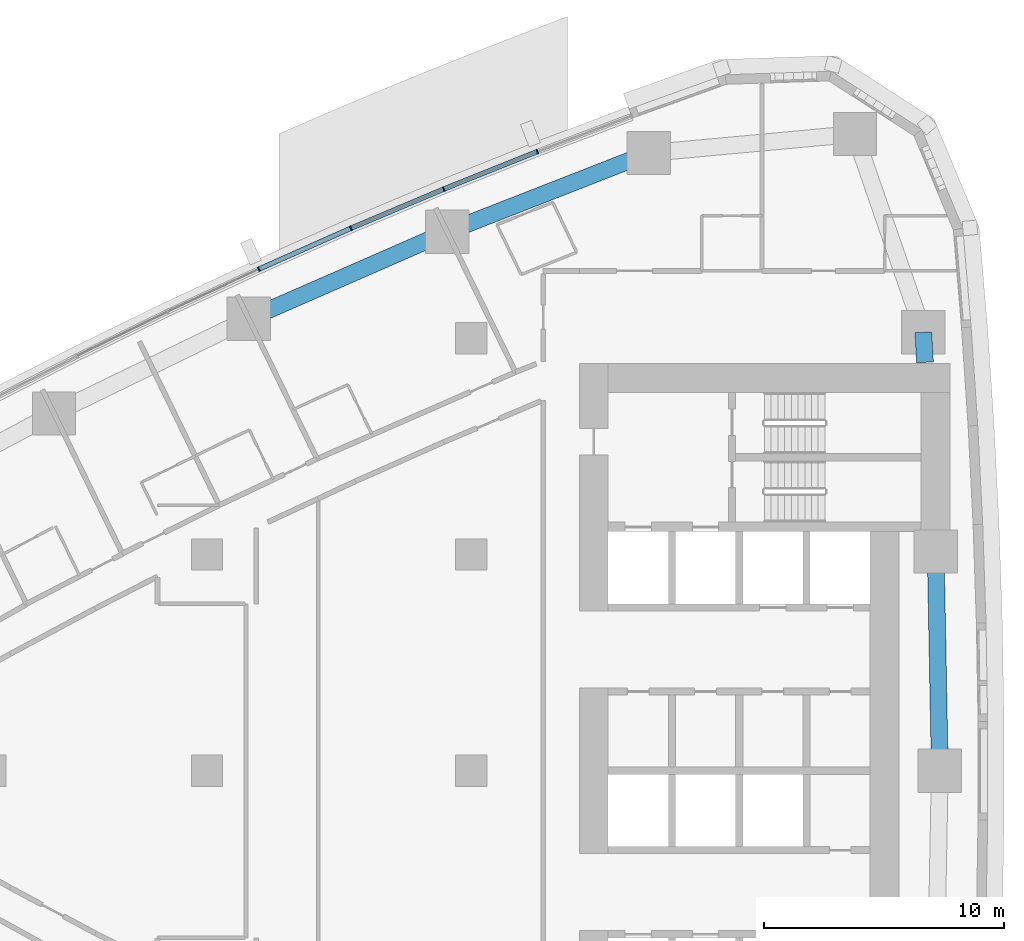
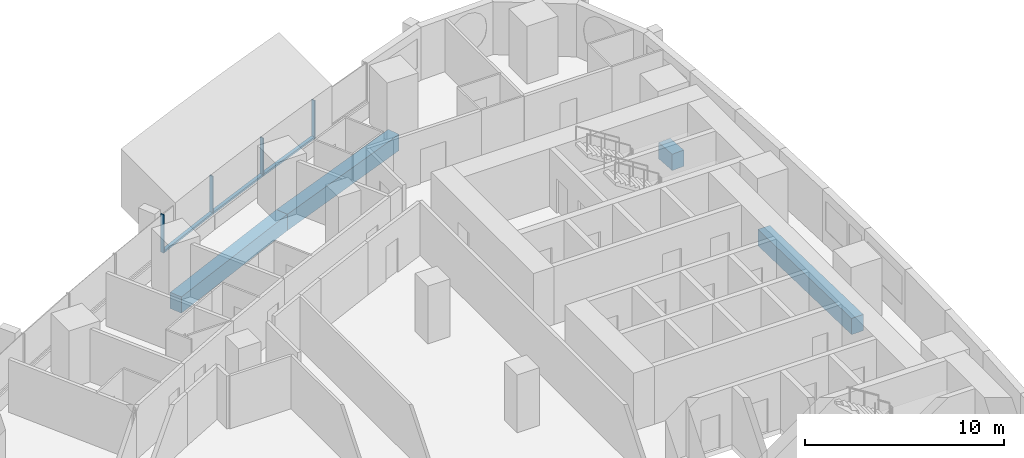
# One storey, part 6 of 19: 7 members, 4 beams, 2 elements without a shape of their own.
"""IFC4 building model written with IfcOpenShell, lengths in metres."""

from ifc_helpers import new_model, si_unit, direction, frame, origin, origin_2d, place, context, subcontext, project, spatial, rectangle, extrude, material, layer, layer_set, material_profile, profile_set, type_object, element, aggregate, save


model = new_model("IFC4")

# Units and contexts
model_context = context("Model", 3, precision=1e-05, world=origin(), true_north=direction((0.0, 1.0)))
body_context = subcontext(model_context, "Body", "Model", "MODEL_VIEW")
ifc_project = project(units=[si_unit("LENGTHUNIT", "METRE"), si_unit("AREAUNIT", "SQUARE_METRE"), si_unit("VOLUMEUNIT", "CUBIC_METRE"), si_unit("PLANEANGLEUNIT", "RADIAN"), si_unit("MASSUNIT", "GRAM", prefix="KILO")], contexts=[model_context])

# Site, building, storey
site_placement = place(None, origin())
site = spatial("IfcSite", under=ifc_project, at=site_placement, CompositionType="ELEMENT")
building_placement = place(site_placement, origin())
building = spatial("IfcBuilding", under=site, at=building_placement, Name="Ostrand Prow Hotel Tower", CompositionType="ELEMENT")
storey_placement = place(building_placement, frame((0.0, 0.0, 43.14990234375)))
storey = spatial("IfcBuildingStorey", under=building, at=storey_placement, Name="L08", CompositionType="ELEMENT", Elevation=43.14990234375)

# Beams
ifc_material_1 = material(Name="Concrete C80/95", Category="concrete")
ifc_material_profile_1 = material_profile(ifc_material_1, rectangle(XDim=0.699951171875, YDim=1.0, at=origin_2d()), Name="RC 700x1000")
ifc_profile_set_1 = profile_set([ifc_material_profile_1], Name="Concrete C80/95")
beam_type = type_object("IfcBeamType", Name="Edge beam 700x1000 C80/95", PredefinedType="SPANDREL", material=ifc_profile_set_1)
beam_1_placement = place(storey_placement, frame((64.5, 0.0, -0.7998046875), z_axis=(-0.018793471688, 0.999823387115, 0.0), x_axis=(-0.999823387115, -0.018793471688, 0.0)))
element("IfcBeam", 1, at=beam_1_placement, inside=storey, type_object=beam_type, Name="Edge beam B3-B4", PredefinedType="SPANDREL", context=body_context, shape_type="SweptSolid", body=[
    extrude(rectangle(XDim=0.699951171875, YDim=1.0, at=origin_2d()), origin(), (0.0, 0.0, 1.0), 9.132568359375),
])
beam_2_placement = place(storey_placement, frame((63.8837890625, 17.0, -0.7998046875), z_axis=(-0.056215946509, 0.998418633319, 0.0), x_axis=(-0.998418633319, -0.056215946509, 0.0)))
element("IfcBeam", 2, at=beam_2_placement, inside=storey, type_object=beam_type, Name="Edge beam B4-B5", PredefinedType="SPANDREL", context=body_context, shape_type="SweptSolid", body=[
    extrude(rectangle(XDim=0.699951171875, YDim=1.0, at=origin_2d()), origin(), (0.0, 0.0, 1.0), 1.250732421875),
])
for number, where, z_axis, x_axis, name in (
    (3, (52.3916015625, 25.710205078125, -0.7998046875), (-0.931329480916, -0.364177701098, 0.0), (0.364177701098, -0.931329480916, 0.0), "Edge beam N1-N2"),
    (4, (43.997802734375, 22.427978515625, -0.7998046875), (-0.916095776162, -0.400959510297, 0.0), (0.400959510297, -0.916095776162, 0.0), "Edge beam N2-N3"),
):
    element("IfcBeam", number, at=place(storey_placement, frame(where, z_axis=z_axis, x_axis=x_axis)), inside=storey, type_object=beam_type, Name=name, PredefinedType="SPANDREL", context=body_context, shape_type="SweptSolid", body=[
        extrude(rectangle(XDim=0.699951171875, YDim=1.0, at=origin_2d()), origin(), (0.0, 0.0, 1.0), 9.0126953125),
    ])

# Curtain wall, members
ifc_material_2 = material(Name="Insulated glass in bronze anodised frame", Category="glass")
ifc_layer = layer(ifc_material_2, 0.199951171875)
ifc_layer_set = layer_set([ifc_layer], Name="Insulated glass in bronze anodised frame")
curtain_wall_type = type_object("IfcCurtainWallType", Name="Strip curtain wall, fritted glass over bronze spandrel", PredefinedType="NOTDEFINED", material=ifc_layer_set)
curtain_wall_1_placement = place(storey_placement, origin())
curtain_wall_1 = element("IfcCurtainWall", 5, at=curtain_wall_1_placement, inside=storey, type_object=curtain_wall_type, Name="CW1 run CWN1", PredefinedType="NOTDEFINED")
ifc_material_3 = material(Name="Bronze anodised aluminium", Category="aluminium")
ifc_material_profile_2 = material_profile(ifc_material_3, rectangle(XDim=0.199951171875, YDim=0.06005859375, at=origin_2d()), Name="Mullion 60x200 bronze anodised aluminium")
ifc_profile_set_2 = profile_set([ifc_material_profile_2], Name="Bronze anodised aluminium")
member_type_1 = type_object("IfcMemberType", Name="Mullion 60x200 bronze anodised aluminium", PredefinedType="MULLION", material=ifc_profile_set_2)
member_1_placement = place(storey_placement, frame((47.7529296875, 25.769775390625, 0.900146484375), z_axis=(0.0, 0.0, 1.0), x_axis=(0.371873380669, -0.928283463577, 0.0)))
member_1 = element("IfcMember", 6, at=member_1_placement, type_object=member_type_1, Name="CW1 mullion 2", PredefinedType="MULLION", context=body_context, shape_type="SweptSolid", body=[
    extrude(rectangle(XDim=0.199951171875, YDim=0.06005859375, at=origin_2d()), origin(), (0.0, 0.0, 1.0), 2.349853515625),
])
member_2_placement = place(storey_placement, frame((43.859619140625, 24.210205078125, 0.900146484375), z_axis=(0.0, 0.0, 1.0), x_axis=(0.371873380669, -0.928283463577, 0.0)))
member_2 = element("IfcMember", 7, at=member_2_placement, type_object=member_type_1, Name="CW1 mullion 3", PredefinedType="MULLION", context=body_context, shape_type="SweptSolid", body=[
    extrude(rectangle(XDim=0.199951171875, YDim=0.06005859375, at=origin_2d()), origin(), (0.0, 0.0, 1.0), 2.349853515625),
])

curtain_wall_2_placement = place(storey_placement, origin())
curtain_wall_2 = element("IfcCurtainWall", 8, at=curtain_wall_2_placement, inside=storey, type_object=curtain_wall_type, Name="CW1 run CWN2", PredefinedType="NOTDEFINED")
member_3_placement = place(storey_placement, frame((39.99560546875, 22.5791015625, 0.900146484375), z_axis=(0.0, 0.0, 1.0), x_axis=(0.405779757666, -0.913970890274, 0.0)))
member_3 = element("IfcMember", 9, at=member_3_placement, type_object=member_type_1, Name="CW1 mullion 2", PredefinedType="MULLION", context=body_context, shape_type="SweptSolid", body=[
    extrude(rectangle(XDim=0.199951171875, YDim=0.06005859375, at=origin_2d()), origin(), (0.0, 0.0, 1.0), 2.349853515625),
])
member_4_placement = place(storey_placement, frame((36.162109375, 20.876953125, 0.900146484375), z_axis=(0.0, 0.0, 1.0), x_axis=(0.405779757666, -0.913970890274, 0.0)))
member_4 = element("IfcMember", 10, at=member_4_placement, type_object=member_type_1, Name="CW1 mullion 3", PredefinedType="MULLION", context=body_context, shape_type="SweptSolid", body=[
    extrude(rectangle(XDim=0.199951171875, YDim=0.06005859375, at=origin_2d()), origin(), (0.0, 0.0, 1.0), 2.349853515625),
])

# Member
ifc_material_4 = material(Name="Bronze anodised aluminium", Category="aluminium")
ifc_material_profile_3 = material_profile(ifc_material_4, rectangle(XDim=0.199951171875, YDim=0.1201171875, at=origin_2d()), Name="Transom 120x200 bronze anodised aluminium")
ifc_profile_set_3 = profile_set([ifc_material_profile_3], Name="Bronze anodised aluminium")
member_type_2 = type_object("IfcMemberType", Name="Transom 120x200 bronze anodised aluminium", PredefinedType="USERDEFINED", material=ifc_profile_set_3)
member_5_placement = place(storey_placement, frame((47.72509765625, 25.7587890625, 0.960205078125), z_axis=(-0.928264761225, -0.371920062739, 0.0), x_axis=(0.371920062739, -0.928264761225, 0.0)))
member_5 = element("IfcMember", 11, at=member_5_placement, type_object=member_type_2, Name="CW1 transom 2.1", ObjectType="TRANSOM", PredefinedType="USERDEFINED", context=body_context, shape_type="SweptSolid", body=[
    extrude(rectangle(XDim=0.199951171875, YDim=0.1201171875, at=origin_2d()), origin(), (0.0, 0.0, 1.0), 4.13427734375),
])

aggregate(curtain_wall_1, [member_1, member_2, member_5])

member_6_placement = place(storey_placement, frame((43.831787109375, 24.198486328125, 0.960205078125), z_axis=(-0.921284828297, -0.388888499637, 0.0), x_axis=(0.388888499637, -0.921284828297, 0.0)))
member_6 = element("IfcMember", 12, at=member_6_placement, type_object=member_type_2, Name="CW1 transom 1.1", ObjectType="TRANSOM", PredefinedType="USERDEFINED", context=body_context, shape_type="SweptSolid", body=[
    extrude(rectangle(XDim=0.199951171875, YDim=0.1201171875, at=origin_2d()), origin(), (0.0, 0.0, 1.0), 4.134033203125),
])

member_7_placement = place(storey_placement, frame((39.968017578125, 22.56689453125, 0.960205078125), z_axis=(-0.913957599094, -0.405809693156, 0.0), x_axis=(0.405809693156, -0.913957599094, 0.0)))
member_7 = element("IfcMember", 13, at=member_7_placement, type_object=member_type_2, Name="CW1 transom 2.1", ObjectType="TRANSOM", PredefinedType="USERDEFINED", context=body_context, shape_type="SweptSolid", body=[
    extrude(rectangle(XDim=0.199951171875, YDim=0.1201171875, at=origin_2d()), origin(), (0.0, 0.0, 1.0), 4.13427734375),
])

aggregate(curtain_wall_2, [member_3, member_4, member_6, member_7])

save(model, "model.ifc")
